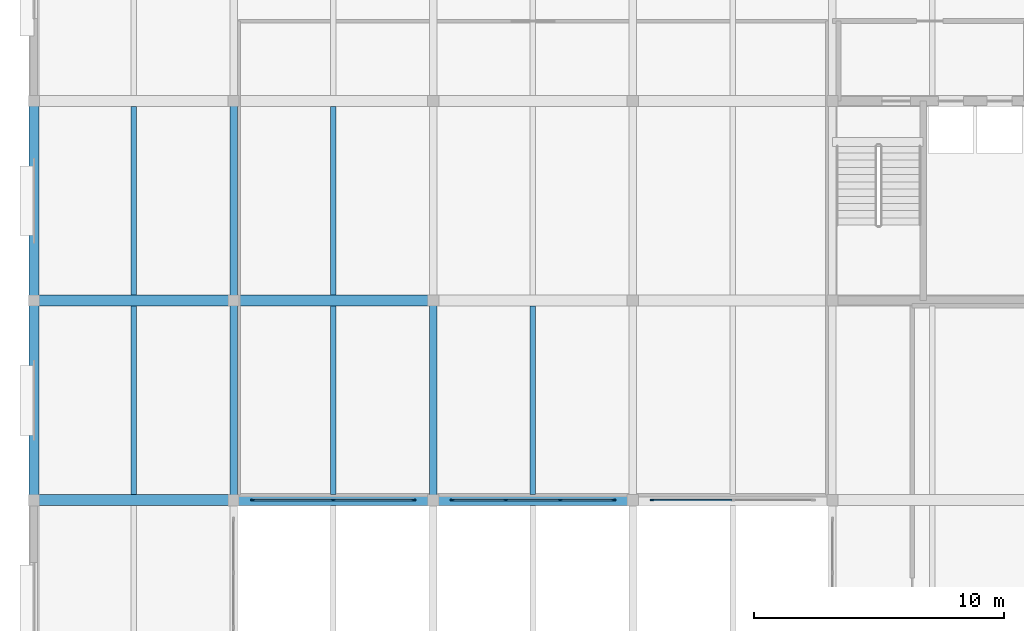
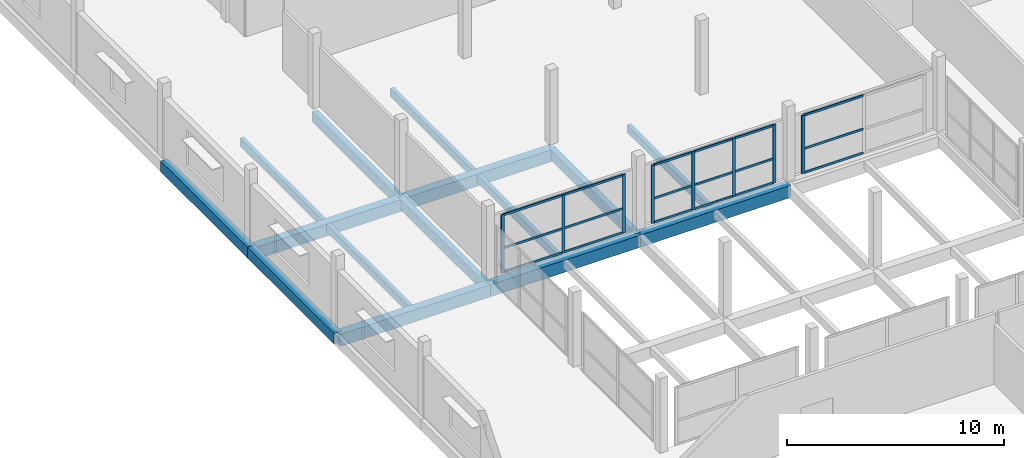
# One storey, part 11 of 53: 26 members, 15 beams, 3 elements without a shape of their own.
"""IFC4 building model written with IfcOpenShell, lengths in metres."""

from ifc_helpers import new_model, si_unit, direction, frame, origin, origin_2d, place, context, subcontext, project, spatial, rectangle, extrude, material, material_profile, profile_set, type_object, element, aggregate, save


model = new_model("IFC4")

# Units and contexts
model_context = context("Model", 3, precision=1e-05, world=origin(), true_north=direction((0.0, 1.0)))
body_context = subcontext(model_context, "Body", "Model", "MODEL_VIEW")
ifc_project = project(units=[si_unit("LENGTHUNIT", "METRE"), si_unit("AREAUNIT", "SQUARE_METRE"), si_unit("VOLUMEUNIT", "CUBIC_METRE"), si_unit("PLANEANGLEUNIT", "RADIAN"), si_unit("MASSUNIT", "GRAM", prefix="KILO")], contexts=[model_context])

# Site, building, storey
site_placement = place(None, origin())
site = spatial("IfcSite", under=ifc_project, at=site_placement, CompositionType="ELEMENT")
building_placement = place(site_placement, origin())
building = spatial("IfcBuilding", under=site, at=building_placement, Name="Vharandega Faculty of Natural Sciences", CompositionType="ELEMENT")
storey_placement = place(building_placement, frame((0.0, 0.0, 10.199951171875)))
storey = spatial("IfcBuildingStorey", under=building, at=storey_placement, Name="L02", CompositionType="ELEMENT", Elevation=10.199951171875)

# Curtain wall, members
ifc_material_1 = material(Name="Aluminium and solar-control glass curtain wall", Category="aluminium")
curtain_wall_type_1 = type_object("IfcCurtainWallType", Name="Unitised Curtain Wall System CW-03", PredefinedType="NOTDEFINED", material=ifc_material_1)
curtain_wall_1_placement = place(storey_placement, origin())
curtain_wall_1 = element("IfcCurtainWall", 1, at=curtain_wall_1_placement, inside=storey, type_object=curtain_wall_type_1, Name="Curtain Wall CW-L02-142", PredefinedType="NOTDEFINED")
ifc_material_2 = material(Name="Thermally broken aluminium 6063-T6", Category="aluminium")
ifc_material_profile_1 = material_profile(ifc_material_2, rectangle(XDim=0.06005859375, YDim=0.159912109375, at=origin_2d()), Name="ALU 60x160")
ifc_profile_set_1 = profile_set([ifc_material_profile_1], Name="Thermally broken aluminium 6063-T6")
member_type_1 = type_object("IfcMemberType", Name="CW Mullion 60x160", PredefinedType="MULLION", material=ifc_profile_set_1)
member_1_placement = place(storey_placement, frame((8.77001953125, 32.0, 0.0), z_axis=(0.0, 0.0, 1.0), x_axis=(0.0, 1.0, 0.0)))
member_1 = element("IfcMember", 2, at=member_1_placement, type_object=member_type_1, Name="CW-03 mullion 1", PredefinedType="MULLION", context=body_context, shape_type="SweptSolid", body=[
    extrude(rectangle(XDim=0.06005859375, YDim=0.159912109375, at=origin_2d()), origin(), (0.0, 0.0, 1.0), 3.280029296875),
])
member_2_placement = place(storey_placement, frame((12.0, 32.0, 0.0), z_axis=(0.0, 0.0, 1.0), x_axis=(0.0, 1.0, 0.0)))
member_2 = element("IfcMember", 3, at=member_2_placement, type_object=member_type_1, Name="CW-03 mullion 2", PredefinedType="MULLION", context=body_context, shape_type="SweptSolid", body=[
    extrude(rectangle(XDim=0.06005859375, YDim=0.159912109375, at=origin_2d()), origin(), (0.0, 0.0, 1.0), 3.280029296875),
])
member_3_placement = place(storey_placement, frame((15.22998046875, 32.0, 0.0), z_axis=(0.0, 0.0, 1.0), x_axis=(0.0, 1.0, 0.0)))
member_3 = element("IfcMember", 4, at=member_3_placement, type_object=member_type_1, Name="CW-03 mullion 3", PredefinedType="MULLION", context=body_context, shape_type="SweptSolid", body=[
    extrude(rectangle(XDim=0.06005859375, YDim=0.159912109375, at=origin_2d()), origin(), (0.0, 0.0, 1.0), 3.280029296875),
])

ifc_material_3 = material(Name="Aluminium and solar-control glass curtain wall", Category="aluminium")
curtain_wall_type_2 = type_object("IfcCurtainWallType", Name="Unitised Curtain Wall System CW-05", PredefinedType="NOTDEFINED", material=ifc_material_3)
curtain_wall_2_placement = place(storey_placement, origin())
curtain_wall_2 = element("IfcCurtainWall", 5, at=curtain_wall_2_placement, inside=storey, type_object=curtain_wall_type_2, Name="Curtain Wall CW-L02-144", PredefinedType="NOTDEFINED")
member_4_placement = place(storey_placement, frame((16.77001953125, 32.0, 0.0), z_axis=(0.0, 0.0, 1.0), x_axis=(0.0, 1.0, 0.0)))
member_4 = element("IfcMember", 6, at=member_4_placement, type_object=member_type_1, Name="CW-05 mullion 1", PredefinedType="MULLION", context=body_context, shape_type="SweptSolid", body=[
    extrude(rectangle(XDim=0.06005859375, YDim=0.159912109375, at=origin_2d()), origin(), (0.0, 0.0, 1.0), 3.280029296875),
])
member_5_placement = place(storey_placement, frame((18.913330078125, 32.0, 0.0), z_axis=(0.0, 0.0, 1.0), x_axis=(0.0, 1.0, 0.0)))
member_5 = element("IfcMember", 7, at=member_5_placement, type_object=member_type_1, Name="CW-05 mullion 2", PredefinedType="MULLION", context=body_context, shape_type="SweptSolid", body=[
    extrude(rectangle(XDim=0.06005859375, YDim=0.159912109375, at=origin_2d()), origin(), (0.0, 0.0, 1.0), 3.280029296875),
])
member_6_placement = place(storey_placement, frame((21.086669921875, 32.0, 0.0), z_axis=(0.0, 0.0, 1.0), x_axis=(0.0, 1.0, 0.0)))
member_6 = element("IfcMember", 8, at=member_6_placement, type_object=member_type_1, Name="CW-05 mullion 3", PredefinedType="MULLION", context=body_context, shape_type="SweptSolid", body=[
    extrude(rectangle(XDim=0.06005859375, YDim=0.159912109375, at=origin_2d()), origin(), (0.0, 0.0, 1.0), 3.280029296875),
])
member_7_placement = place(storey_placement, frame((23.22998046875, 32.0, 0.0), z_axis=(0.0, 0.0, 1.0), x_axis=(0.0, 1.0, 0.0)))
member_7 = element("IfcMember", 9, at=member_7_placement, type_object=member_type_1, Name="CW-05 mullion 4", PredefinedType="MULLION", context=body_context, shape_type="SweptSolid", body=[
    extrude(rectangle(XDim=0.06005859375, YDim=0.159912109375, at=origin_2d()), origin(), (0.0, 0.0, 1.0), 3.280029296875),
])

# Curtain wall, member
ifc_material_4 = material(Name="Aluminium and solar-control glass curtain wall", Category="aluminium")
curtain_wall_type_3 = type_object("IfcCurtainWallType", Name="Unitised Curtain Wall System CW-07", PredefinedType="NOTDEFINED", material=ifc_material_4)
curtain_wall_3_placement = place(storey_placement, origin())
curtain_wall_3 = element("IfcCurtainWall", 10, at=curtain_wall_3_placement, inside=storey, type_object=curtain_wall_type_3, Name="Curtain Wall CW-L02-146", PredefinedType="NOTDEFINED")
member_8_placement = place(storey_placement, frame((24.77001953125, 32.0, 0.0), z_axis=(0.0, 0.0, 1.0), x_axis=(0.0, 1.0, 0.0)))
member_8 = element("IfcMember", 11, at=member_8_placement, type_object=member_type_1, Name="CW-07 mullion 1", PredefinedType="MULLION", context=body_context, shape_type="SweptSolid", body=[
    extrude(rectangle(XDim=0.06005859375, YDim=0.159912109375, at=origin_2d()), origin(), (0.0, 0.0, 1.0), 3.280029296875),
])

# Member
ifc_material_5 = material(Name="Thermally broken aluminium 6063-T6", Category="aluminium")
ifc_material_profile_2 = material_profile(ifc_material_5, rectangle(XDim=0.06005859375, YDim=0.1201171875, at=origin_2d()), Name="ALU 60x120")
ifc_profile_set_2 = profile_set([ifc_material_profile_2], Name="Thermally broken aluminium 6063-T6")
member_type_2 = type_object("IfcMemberType", Name="CW Transom 60x120", PredefinedType="USERDEFINED", material=ifc_profile_set_2)
member_9_placement = place(storey_placement, frame((8.800048828125, 32.0, 0.030029296875), z_axis=(1.0, 0.0, 0.0), x_axis=(0.0, 1.0, 0.0)))
member_9 = element("IfcMember", 12, at=member_9_placement, type_object=member_type_2, Name="CW-03 transom 1.1", ObjectType="TRANSOM", PredefinedType="USERDEFINED", context=body_context, shape_type="SweptSolid", body=[
    extrude(rectangle(XDim=0.06005859375, YDim=0.1201171875, at=origin_2d()), origin(), (0.0, 0.0, 1.0), 3.169921875),
])

member_10_placement = place(storey_placement, frame((8.800048828125, 32.0, 1.377685546875), z_axis=(1.0, 0.0, 0.0), x_axis=(0.0, 1.0, 0.0)))
member_10 = element("IfcMember", 13, at=member_10_placement, type_object=member_type_2, Name="CW-03 transom 1.2", ObjectType="TRANSOM", PredefinedType="USERDEFINED", context=body_context, shape_type="SweptSolid", body=[
    extrude(rectangle(XDim=0.06005859375, YDim=0.1201171875, at=origin_2d()), origin(), (0.0, 0.0, 1.0), 3.169921875),
])

member_11_placement = place(storey_placement, frame((8.800048828125, 32.0, 3.25), z_axis=(1.0, 0.0, 0.0), x_axis=(0.0, 1.0, 0.0)))
member_11 = element("IfcMember", 14, at=member_11_placement, type_object=member_type_2, Name="CW-03 transom 1.3", ObjectType="TRANSOM", PredefinedType="USERDEFINED", context=body_context, shape_type="SweptSolid", body=[
    extrude(rectangle(XDim=0.06005859375, YDim=0.1201171875, at=origin_2d()), origin(), (0.0, 0.0, 1.0), 3.169921875),
])

member_12_placement = place(storey_placement, frame((12.030029296875, 32.0, 0.030029296875), z_axis=(1.0, 0.0, 0.0), x_axis=(0.0, 1.0, 0.0)))
member_12 = element("IfcMember", 15, at=member_12_placement, type_object=member_type_2, Name="CW-03 transom 2.1", ObjectType="TRANSOM", PredefinedType="USERDEFINED", context=body_context, shape_type="SweptSolid", body=[
    extrude(rectangle(XDim=0.06005859375, YDim=0.1201171875, at=origin_2d()), origin(), (0.0, 0.0, 1.0), 3.169921875),
])

member_13_placement = place(storey_placement, frame((12.030029296875, 32.0, 1.377685546875), z_axis=(1.0, 0.0, 0.0), x_axis=(0.0, 1.0, 0.0)))
member_13 = element("IfcMember", 16, at=member_13_placement, type_object=member_type_2, Name="CW-03 transom 2.2", ObjectType="TRANSOM", PredefinedType="USERDEFINED", context=body_context, shape_type="SweptSolid", body=[
    extrude(rectangle(XDim=0.06005859375, YDim=0.1201171875, at=origin_2d()), origin(), (0.0, 0.0, 1.0), 3.169921875),
])

member_14_placement = place(storey_placement, frame((12.030029296875, 32.0, 3.25), z_axis=(1.0, 0.0, 0.0), x_axis=(0.0, 1.0, 0.0)))
member_14 = element("IfcMember", 17, at=member_14_placement, type_object=member_type_2, Name="CW-03 transom 2.3", ObjectType="TRANSOM", PredefinedType="USERDEFINED", context=body_context, shape_type="SweptSolid", body=[
    extrude(rectangle(XDim=0.06005859375, YDim=0.1201171875, at=origin_2d()), origin(), (0.0, 0.0, 1.0), 3.169921875),
])

aggregate(curtain_wall_1, [member_1, member_2, member_3, member_9, member_10, member_11, member_12, member_13, member_14])

member_15_placement = place(storey_placement, frame((16.800048828125, 32.0, 0.030029296875), z_axis=(1.0, 0.0, 0.0), x_axis=(0.0, 1.0, 0.0)))
member_15 = element("IfcMember", 18, at=member_15_placement, type_object=member_type_2, Name="CW-05 transom 1.1", ObjectType="TRANSOM", PredefinedType="USERDEFINED", context=body_context, shape_type="SweptSolid", body=[
    extrude(rectangle(XDim=0.06005859375, YDim=0.1201171875, at=origin_2d()), origin(), (0.0, 0.0, 1.0), 2.083251953125),
])

member_16_placement = place(storey_placement, frame((16.800048828125, 32.0, 1.377685546875), z_axis=(1.0, 0.0, 0.0), x_axis=(0.0, 1.0, 0.0)))
member_16 = element("IfcMember", 19, at=member_16_placement, type_object=member_type_2, Name="CW-05 transom 1.2", ObjectType="TRANSOM", PredefinedType="USERDEFINED", context=body_context, shape_type="SweptSolid", body=[
    extrude(rectangle(XDim=0.06005859375, YDim=0.1201171875, at=origin_2d()), origin(), (0.0, 0.0, 1.0), 2.083251953125),
])

member_17_placement = place(storey_placement, frame((16.800048828125, 32.0, 3.25), z_axis=(1.0, 0.0, 0.0), x_axis=(0.0, 1.0, 0.0)))
member_17 = element("IfcMember", 20, at=member_17_placement, type_object=member_type_2, Name="CW-05 transom 1.3", ObjectType="TRANSOM", PredefinedType="USERDEFINED", context=body_context, shape_type="SweptSolid", body=[
    extrude(rectangle(XDim=0.06005859375, YDim=0.1201171875, at=origin_2d()), origin(), (0.0, 0.0, 1.0), 2.083251953125),
])

member_18_placement = place(storey_placement, frame((18.943359375, 32.0, 0.030029296875), z_axis=(1.0, 0.0, 0.0), x_axis=(0.0, 1.0, 0.0)))
member_18 = element("IfcMember", 21, at=member_18_placement, type_object=member_type_2, Name="CW-05 transom 2.1", ObjectType="TRANSOM", PredefinedType="USERDEFINED", context=body_context, shape_type="SweptSolid", body=[
    extrude(rectangle(XDim=0.06005859375, YDim=0.1201171875, at=origin_2d()), origin(), (0.0, 0.0, 1.0), 2.11328125),
])

member_19_placement = place(storey_placement, frame((18.943359375, 32.0, 1.377685546875), z_axis=(1.0, 0.0, 0.0), x_axis=(0.0, 1.0, 0.0)))
member_19 = element("IfcMember", 22, at=member_19_placement, type_object=member_type_2, Name="CW-05 transom 2.2", ObjectType="TRANSOM", PredefinedType="USERDEFINED", context=body_context, shape_type="SweptSolid", body=[
    extrude(rectangle(XDim=0.06005859375, YDim=0.1201171875, at=origin_2d()), origin(), (0.0, 0.0, 1.0), 2.11328125),
])

member_20_placement = place(storey_placement, frame((18.943359375, 32.0, 3.25), z_axis=(1.0, 0.0, 0.0), x_axis=(0.0, 1.0, 0.0)))
member_20 = element("IfcMember", 23, at=member_20_placement, type_object=member_type_2, Name="CW-05 transom 2.3", ObjectType="TRANSOM", PredefinedType="USERDEFINED", context=body_context, shape_type="SweptSolid", body=[
    extrude(rectangle(XDim=0.06005859375, YDim=0.1201171875, at=origin_2d()), origin(), (0.0, 0.0, 1.0), 2.11328125),
])

member_21_placement = place(storey_placement, frame((21.11669921875, 32.0, 0.030029296875), z_axis=(1.0, 0.0, 0.0), x_axis=(0.0, 1.0, 0.0)))
member_21 = element("IfcMember", 24, at=member_21_placement, type_object=member_type_2, Name="CW-05 transom 3.1", ObjectType="TRANSOM", PredefinedType="USERDEFINED", context=body_context, shape_type="SweptSolid", body=[
    extrude(rectangle(XDim=0.06005859375, YDim=0.1201171875, at=origin_2d()), origin(), (0.0, 0.0, 1.0), 2.083251953125),
])

member_22_placement = place(storey_placement, frame((21.11669921875, 32.0, 1.377685546875), z_axis=(1.0, 0.0, 0.0), x_axis=(0.0, 1.0, 0.0)))
member_22 = element("IfcMember", 25, at=member_22_placement, type_object=member_type_2, Name="CW-05 transom 3.2", ObjectType="TRANSOM", PredefinedType="USERDEFINED", context=body_context, shape_type="SweptSolid", body=[
    extrude(rectangle(XDim=0.06005859375, YDim=0.1201171875, at=origin_2d()), origin(), (0.0, 0.0, 1.0), 2.083251953125),
])

member_23_placement = place(storey_placement, frame((21.11669921875, 32.0, 3.25), z_axis=(1.0, 0.0, 0.0), x_axis=(0.0, 1.0, 0.0)))
member_23 = element("IfcMember", 26, at=member_23_placement, type_object=member_type_2, Name="CW-05 transom 3.3", ObjectType="TRANSOM", PredefinedType="USERDEFINED", context=body_context, shape_type="SweptSolid", body=[
    extrude(rectangle(XDim=0.06005859375, YDim=0.1201171875, at=origin_2d()), origin(), (0.0, 0.0, 1.0), 2.083251953125),
])

aggregate(curtain_wall_2, [member_4, member_5, member_6, member_7, member_15, member_16, member_17, member_18, member_19, member_20, member_21, member_22, member_23])

member_24_placement = place(storey_placement, frame((24.800048828125, 32.0, 0.030029296875), z_axis=(1.0, 0.0, 0.0), x_axis=(0.0, 1.0, 0.0)))
member_24 = element("IfcMember", 27, at=member_24_placement, type_object=member_type_2, Name="CW-07 transom 1.1", ObjectType="TRANSOM", PredefinedType="USERDEFINED", context=body_context, shape_type="SweptSolid", body=[
    extrude(rectangle(XDim=0.06005859375, YDim=0.1201171875, at=origin_2d()), origin(), (0.0, 0.0, 1.0), 3.169921875),
])

member_25_placement = place(storey_placement, frame((24.800048828125, 32.0, 1.377685546875), z_axis=(1.0, 0.0, 0.0), x_axis=(0.0, 1.0, 0.0)))
member_25 = element("IfcMember", 28, at=member_25_placement, type_object=member_type_2, Name="CW-07 transom 1.2", ObjectType="TRANSOM", PredefinedType="USERDEFINED", context=body_context, shape_type="SweptSolid", body=[
    extrude(rectangle(XDim=0.06005859375, YDim=0.1201171875, at=origin_2d()), origin(), (0.0, 0.0, 1.0), 3.169921875),
])

member_26_placement = place(storey_placement, frame((24.800048828125, 32.0, 3.25), z_axis=(1.0, 0.0, 0.0), x_axis=(0.0, 1.0, 0.0)))
member_26 = element("IfcMember", 29, at=member_26_placement, type_object=member_type_2, Name="CW-07 transom 1.3", ObjectType="TRANSOM", PredefinedType="USERDEFINED", context=body_context, shape_type="SweptSolid", body=[
    extrude(rectangle(XDim=0.06005859375, YDim=0.1201171875, at=origin_2d()), origin(), (0.0, 0.0, 1.0), 3.169921875),
])

aggregate(curtain_wall_3, [member_8, member_24, member_25, member_26])

# Beams
ifc_material_6 = material(Name="Glulam GL28h", Category="wood")
ifc_material_profile_3 = material_profile(ifc_material_6, rectangle(XDim=0.300048828125, YDim=0.60009765625, at=origin_2d()), Name="GL28h 300x600")
ifc_profile_set_3 = profile_set([ifc_material_profile_3], Name="Glulam GL28h")
beam_type_1 = type_object("IfcBeamType", Name="Glulam Floor Beam 300x600", PredefinedType="BEAM", material=ifc_profile_set_3)
for number, where, z_axis, x_axis, name in (
    (30, (8.0, 32.0, -0.579833984375), (0.0, 1.0, 0.0), (-1.0, 0.0, 0.0), "Beam L02 2/E-F"),
    (31, (8.0, 40.0, -0.579833984375), (0.0, 1.0, 0.0), (-1.0, 0.0, 0.0), "Beam L02 2/F-G"),
    (32, (16.0, 32.0, -0.579833984375), (0.0, 1.0, 0.0), (-1.0, 0.0, 0.0), "Beam L02 3/E-F"),
):
    element("IfcBeam", number, at=place(storey_placement, frame(where, z_axis=z_axis, x_axis=x_axis)), inside=storey, type_object=beam_type_1, Name=name, PredefinedType="BEAM", context=body_context, shape_type="SweptSolid", body=[
        extrude(rectangle(XDim=0.300048828125, YDim=0.60009765625, at=origin_2d()), origin(), (0.0, 0.0, 1.0), 8.0),
    ])
ifc_material_7 = material(Name="Glulam GL32h", Category="wood")
ifc_material_profile_4 = material_profile(ifc_material_7, rectangle(XDim=0.43994140625, YDim=0.679931640625, at=origin_2d()), Name="GL32h 440x680")
ifc_profile_set_4 = profile_set([ifc_material_profile_4], Name="Glulam GL32h")
beam_type_2 = type_object("IfcBeamType", Name="Glulam Girder 440x680", PredefinedType="BEAM", material=ifc_profile_set_4)
for number, where, z_axis, x_axis, name in (
    (33, (0.0, 32.0, -0.619873046875), (1.0, 0.0, 0.0), (0.0, 1.0, 0.0), "Beam L02 E/1-2"),
    (34, (8.0, 32.0, -0.619873046875), (1.0, 0.0, 0.0), (0.0, 1.0, 0.0), "Beam L02 E/2-3"),
    (35, (16.0, 32.0, -0.619873046875), (1.0, 0.0, 0.0), (0.0, 1.0, 0.0), "Beam L02 E/3-4"),
    (36, (0.0, 40.0, -0.619873046875), (1.0, 0.0, 0.0), (0.0, 1.0, 0.0), "Beam L02 F/1-2"),
    (37, (8.0, 40.0, -0.619873046875), (1.0, 0.0, 0.0), (0.0, 1.0, 0.0), "Beam L02 F/2-3"),
):
    element("IfcBeam", number, at=place(storey_placement, frame(where, z_axis=z_axis, x_axis=x_axis)), inside=storey, type_object=beam_type_2, Name=name, PredefinedType="BEAM", context=body_context, shape_type="SweptSolid", body=[
        extrude(rectangle(XDim=0.43994140625, YDim=0.679931640625, at=origin_2d()), origin(), (0.0, 0.0, 1.0), 8.0),
    ])
ifc_material_8 = material(Name="Glulam GL28h", Category="wood")
ifc_material_profile_5 = material_profile(ifc_material_8, rectangle(XDim=0.219970703125, YDim=0.43994140625, at=origin_2d()), Name="GL28h 220x440")
ifc_profile_set_5 = profile_set([ifc_material_profile_5], Name="Glulam GL28h")
beam_type_3 = type_object("IfcBeamType", Name="Glulam Secondary Joist 220x440", PredefinedType="JOIST", material=ifc_profile_set_5)
for number, where, z_axis, x_axis, name in (
    (38, (4.0, 32.219970703125, -0.5), (0.0, 1.0, 0.0), (-1.0, 0.0, 0.0), "Secondary Joist L02 1-2/E-F"),
    (39, (4.0, 40.219970703125, -0.5), (0.0, 1.0, 0.0), (-1.0, 0.0, 0.0), "Secondary Joist L02 1-2/F-G"),
    (40, (12.0, 32.219970703125, -0.5), (0.0, 1.0, 0.0), (-1.0, 0.0, 0.0), "Secondary Joist L02 2-3/E-F"),
    (41, (12.0, 40.219970703125, -0.5), (0.0, 1.0, 0.0), (-1.0, 0.0, 0.0), "Secondary Joist L02 2-3/F-G"),
    (42, (20.0, 32.219970703125, -0.5), (0.0, 1.0, 0.0), (-1.0, 0.0, 0.0), "Secondary Joist L02 3-4/E-F"),
):
    element("IfcBeam", number, at=place(storey_placement, frame(where, z_axis=z_axis, x_axis=x_axis)), inside=storey, type_object=beam_type_3, Name=name, PredefinedType="JOIST", context=body_context, shape_type="SweptSolid", body=[
        extrude(rectangle(XDim=0.219970703125, YDim=0.43994140625, at=origin_2d()), origin(), (0.0, 0.0, 1.0), 7.56005859375),
    ])
ifc_material_9 = material(Name="Glulam GL32h", Category="wood")
ifc_material_profile_6 = material_profile(ifc_material_9, rectangle(XDim=0.39990234375, YDim=0.60009765625, at=origin_2d()), Name="GL32h 400x600")
ifc_profile_set_6 = profile_set([ifc_material_profile_6], Name="Glulam GL32h")
beam_type_4 = type_object("IfcBeamType", Name="Glulam Spine Girder 400x600", PredefinedType="BEAM", material=ifc_profile_set_6)
for number, where, z_axis, x_axis, name in (
    (43, (0.0, 32.0, -0.579833984375), (0.0, 1.0, 0.0), (-1.0, 0.0, 0.0), "Beam L02 1/E-F"),
    (44, (0.0, 40.0, -0.579833984375), (0.0, 1.0, 0.0), (-1.0, 0.0, 0.0), "Beam L02 1/F-G"),
):
    element("IfcBeam", number, at=place(storey_placement, frame(where, z_axis=z_axis, x_axis=x_axis)), inside=storey, type_object=beam_type_4, Name=name, PredefinedType="BEAM", context=body_context, shape_type="SweptSolid", body=[
        extrude(rectangle(XDim=0.39990234375, YDim=0.60009765625, at=origin_2d()), origin(), (0.0, 0.0, 1.0), 8.0),
    ])

save(model, "model.ifc")
